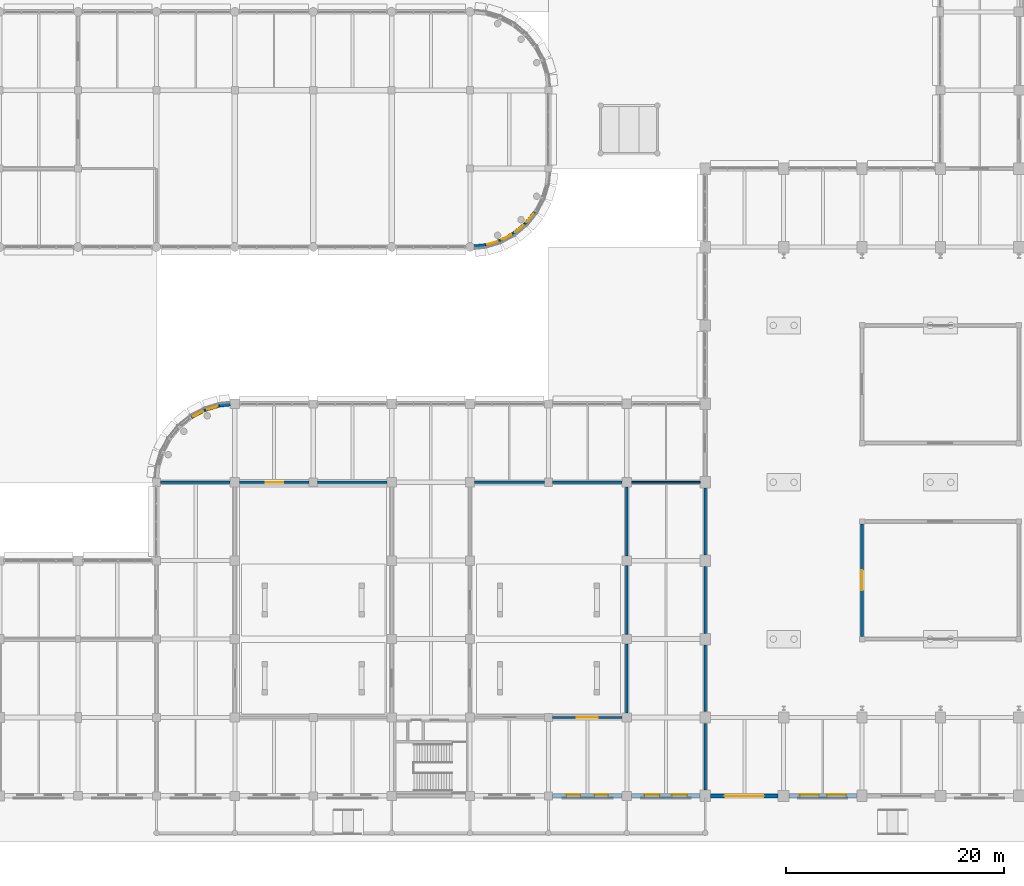
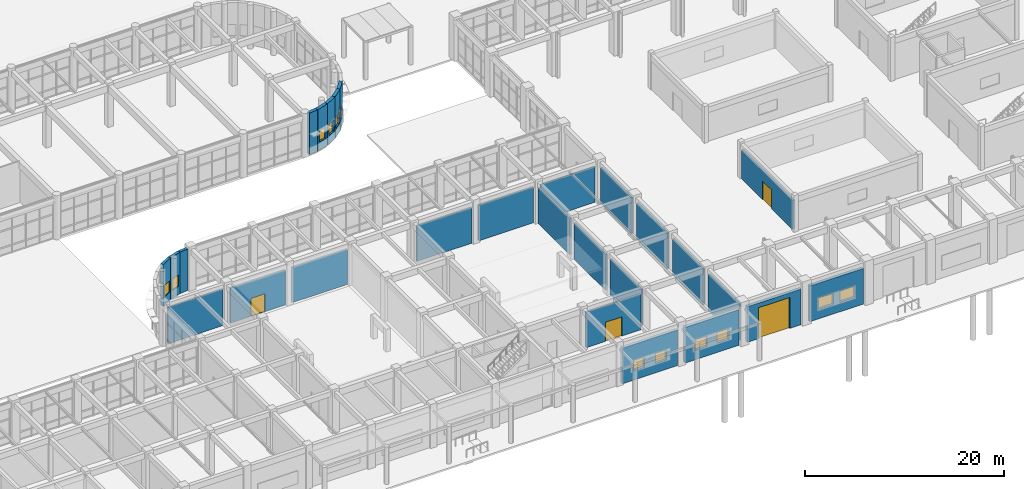
# One storey, part 138 of 160: 27 walls, 12 windows, 4 doors, 16 openings.
"""IFC4 building model written with IfcOpenShell, lengths in metres."""

from ifc_helpers import new_model, si_unit, direction, frame, frame_2d, origin, place, context, subcontext, project, spatial, rectangle, extrude, material, layer, layer_set, type_object, element, fill, save


model = new_model("IFC4")

# Units and contexts
model_context = context("Model", 3, precision=1e-05, world=origin(), true_north=direction((0.0, 1.0)))
body_context = subcontext(model_context, "Body", "Model", "MODEL_VIEW")
ifc_project = project(units=[si_unit("LENGTHUNIT", "METRE"), si_unit("AREAUNIT", "SQUARE_METRE"), si_unit("VOLUMEUNIT", "CUBIC_METRE"), si_unit("PLANEANGLEUNIT", "RADIAN"), si_unit("MASSUNIT", "GRAM", prefix="KILO")], contexts=[model_context])

# Site, building, storey
site_placement = place(None, origin())
site = spatial("IfcSite", under=ifc_project, at=site_placement, CompositionType="ELEMENT")
building_placement = place(site_placement, origin())
building = spatial("IfcBuilding", under=site, at=building_placement, Name="Thalmaran Polytechnic", CompositionType="ELEMENT")
storey_placement = place(building_placement, origin())
storey = spatial("IfcBuildingStorey", under=building, at=storey_placement, Name="L00", CompositionType="ELEMENT", Elevation=0.0)

# Wall, openings, windows
ifc_material_1 = material(Name="Precast concrete C40/50", Category="concrete")
ifc_layer_1 = layer(ifc_material_1, 0.360107421875, Name="Precast concrete C40/50")
ifc_layer_set_1 = layer_set([ifc_layer_1], Name="Precast concrete C40/50")
wall_type_1 = type_object("IfcWallType", Name="WL-EW01", PredefinedType="STANDARD", material=ifc_layer_set_1)
wall_1_placement = place(storey_placement, frame((121.925048828125, 0.0, 0.0), z_axis=(0.0, 0.0, 1.0), x_axis=(-1.0, 0.0, 0.0)))
wall_1 = element("IfcWall", 1, at=wall_1_placement, inside=storey, type_object=wall_type_1, Name="Exterior Precast Facade Wall L00-076", PredefinedType="STANDARD", context=body_context, shape_type="SweptSolid", body=[
    extrude(rectangle(XDim=6.22509765625, YDim=0.360107421875, at=frame_2d((3.112548828125, 0.0))), origin(), (0.0, 0.0, 1.0), 4.3701171875),
])
opening_1_placement = place(wall_1_placement, frame((0.992431640625, 0.0, 1.14990234375)))
opening_1 = element("IfcOpeningElement", 2, at=opening_1_placement, cuts=wall_1, Name="Opening VW08", PredefinedType="OPENING", context=body_context, shape_type="SweptSolid", body=[
    extrude(rectangle(XDim=1.75, YDim=1.39990234375, at=frame_2d((0.875, 0.699951171875))), frame((0.0, 0.18994140625, 0.0), z_axis=(0.0, -1.0, 0.0), x_axis=(1.0, 0.0, 0.0)), (0.0, 0.0, 1.0), 0.380126953125),
])
opening_2_placement = place(wall_1_placement, frame((3.482421875, 0.0, 1.14990234375)))
opening_2 = element("IfcOpeningElement", 3, at=opening_2_placement, cuts=wall_1, Name="Opening VW08", PredefinedType="OPENING", context=body_context, shape_type="SweptSolid", body=[
    extrude(rectangle(XDim=1.75, YDim=1.39990234375, at=frame_2d((0.875, 0.699951171875))), frame((0.0, 0.18994140625, 0.0), z_axis=(0.0, -1.0, 0.0), x_axis=(1.0, 0.0, 0.0)), (0.0, 0.0, 1.0), 0.380126953125),
])
ifc_material_2 = material(Name="Thermally broken aluminium and double low-E glass", Category="aluminium")
window_type_1 = type_object("IfcWindowType", Name="WN-VZ08", PartitioningType="SINGLE_PANEL", PredefinedType="WINDOW", material=ifc_material_2)
window_1_placement = place(opening_1_placement, origin())
window_1 = element("IfcWindow", 4, at=window_1_placement, inside=storey, type_object=window_type_1, Name="Deep-Set Solar-Screened Window W-0034", OverallHeight=1.39990234375, OverallWidth=1.75, PartitioningType="SINGLE_PANEL", PredefinedType="WINDOW", context=body_context, shape_type="SweptSolid", body=[
    extrude(rectangle(XDim=1.75, YDim=1.39990234375, at=frame_2d((0.875, 0.699951171875))), frame((0.0, -0.080078125, 0.0), z_axis=(0.0, -1.0, 0.0), x_axis=(1.0, 0.0, 0.0)), (0.0, 0.0, 1.0), 0.06005859375),
])
fill(opening_1, window_1)
window_2_placement = place(opening_2_placement, origin())
window_2 = element("IfcWindow", 5, at=window_2_placement, inside=storey, type_object=window_type_1, Name="Deep-Set Solar-Screened Window W-0035", OverallHeight=1.39990234375, OverallWidth=1.75, PartitioningType="SINGLE_PANEL", PredefinedType="WINDOW", context=body_context, shape_type="SweptSolid", body=[
    extrude(rectangle(XDim=1.75, YDim=1.39990234375, at=frame_2d((0.875, 0.699951171875))), frame((0.0, -0.080078125, 0.0), z_axis=(0.0, -1.0, 0.0), x_axis=(1.0, 0.0, 0.0)), (0.0, 0.0, 1.0), 0.06005859375),
])
fill(opening_2, window_2)

# Wall, opening, door
wall_2_placement = place(storey_placement, frame((114.699951171875, 0.0, 0.0), z_axis=(0.0, 0.0, 1.0), x_axis=(-1.0, 0.0, 0.0)))
wall_2 = element("IfcWall", 6, at=wall_2_placement, inside=storey, type_object=wall_type_1, Name="Exterior Precast Facade Wall L00-077", PredefinedType="STANDARD", context=body_context, shape_type="SweptSolid", body=[
    extrude(rectangle(XDim=6.224853515625, YDim=0.360107421875, at=frame_2d((3.1123046875, 0.0))), origin(), (0.0, 0.0, 1.0), 4.3701171875),
])
opening_3_placement = place(wall_2_placement, frame((1.3125, 0.0, 0.0)))
opening_3 = element("IfcOpeningElement", 7, at=opening_3_placement, cuts=wall_2, Name="Opening WB-077", PredefinedType="OPENING", context=body_context, shape_type="SweptSolid", body=[
    extrude(rectangle(XDim=3.60009765625, YDim=3.800048828125, at=frame_2d((1.800048828125, 1.89990234375))), frame((0.0, 0.18994140625, 0.0), z_axis=(0.0, -1.0, 0.0), x_axis=(1.0, 0.0, 0.0)), (0.0, 0.0, 1.0), 0.380126953125),
])
ifc_material_3 = material(Name="Galvanised insulated steel roller shutter", Category="steel")
door_type_1 = type_object("IfcDoorType", Name="DR-VG03", OperationType="NOTDEFINED", PredefinedType="GATE", material=ifc_material_3)
door_1_placement = place(opening_3_placement, origin())
door_1 = element("IfcDoor", 8, at=door_1_placement, inside=storey, type_object=door_type_1, Name="Engineering Workshop Crane Bay Door WB-077", OperationType="ROLLINGUP", OverallHeight=3.800048828125, OverallWidth=3.60009765625, PredefinedType="GATE", context=body_context, shape_type="SweptSolid", body=[
    extrude(rectangle(XDim=3.60009765625, YDim=3.800048828125, at=frame_2d((1.800048828125, 1.89990234375))), frame((0.0, 0.02490234375, 0.0), z_axis=(0.0, -1.0, 0.0), x_axis=(1.0, 0.0, 0.0)), (0.0, 0.0, 1.0), 0.050048828125),
])
fill(opening_3, door_1)

# Wall, openings, windows
wall_3_placement = place(storey_placement, frame((107.52490234375, 0.0, 0.0), z_axis=(0.0, 0.0, 1.0), x_axis=(-1.0, 0.0, 0.0)))
wall_3 = element("IfcWall", 9, at=wall_3_placement, inside=storey, type_object=wall_type_1, Name="Exterior Precast Facade Wall L00-078", PredefinedType="STANDARD", context=body_context, shape_type="SweptSolid", body=[
    extrude(rectangle(XDim=6.2998046875, YDim=0.360107421875, at=frame_2d((3.14990234375, 0.0))), origin(), (0.0, 0.0, 1.0), 4.3701171875),
])
opening_4_placement = place(wall_3_placement, frame((1.18994140625, 0.0, 1.14990234375)))
opening_4 = element("IfcOpeningElement", 10, at=opening_4_placement, cuts=wall_3, Name="Opening VW10", PredefinedType="OPENING", context=body_context, shape_type="SweptSolid", body=[
    extrude(rectangle(XDim=1.39990234375, YDim=1.300048828125, at=frame_2d((0.699951171875, 0.64990234375))), frame((0.0, 0.18994140625, 0.0), z_axis=(0.0, -1.0, 0.0), x_axis=(1.0, 0.0, 0.0)), (0.0, 0.0, 1.0), 0.380126953125),
])
opening_5_placement = place(wall_3_placement, frame((3.7099609375, 0.0, 1.14990234375)))
opening_5 = element("IfcOpeningElement", 11, at=opening_5_placement, cuts=wall_3, Name="Opening VW10", PredefinedType="OPENING", context=body_context, shape_type="SweptSolid", body=[
    extrude(rectangle(XDim=1.39990234375, YDim=1.300048828125, at=frame_2d((0.699951171875, 0.64990234375))), frame((0.0, 0.18994140625, 0.0), z_axis=(0.0, -1.0, 0.0), x_axis=(1.0, 0.0, 0.0)), (0.0, 0.0, 1.0), 0.380126953125),
])
window_type_2 = type_object("IfcWindowType", Name="WN-VZ10", PartitioningType="SINGLE_PANEL", PredefinedType="WINDOW", material=ifc_material_2)
window_3_placement = place(opening_4_placement, origin())
window_3 = element("IfcWindow", 12, at=window_3_placement, inside=storey, type_object=window_type_2, Name="Deep-Set Solar-Screened Window W-0036", OverallHeight=1.300048828125, OverallWidth=1.39990234375, PartitioningType="SINGLE_PANEL", PredefinedType="WINDOW", context=body_context, shape_type="SweptSolid", body=[
    extrude(rectangle(XDim=1.39990234375, YDim=1.300048828125, at=frame_2d((0.699951171875, 0.64990234375))), frame((0.0, -0.080078125, 0.0), z_axis=(0.0, -1.0, 0.0), x_axis=(1.0, 0.0, 0.0)), (0.0, 0.0, 1.0), 0.06005859375),
])
fill(opening_4, window_3)
window_4_placement = place(opening_5_placement, origin())
window_4 = element("IfcWindow", 13, at=window_4_placement, inside=storey, type_object=window_type_2, Name="Deep-Set Solar-Screened Window W-0037", OverallHeight=1.300048828125, OverallWidth=1.39990234375, PartitioningType="SINGLE_PANEL", PredefinedType="WINDOW", context=body_context, shape_type="SweptSolid", body=[
    extrude(rectangle(XDim=1.39990234375, YDim=1.300048828125, at=frame_2d((0.699951171875, 0.64990234375))), frame((0.0, -0.080078125, 0.0), z_axis=(0.0, -1.0, 0.0), x_axis=(1.0, 0.0, 0.0)), (0.0, 0.0, 1.0), 0.06005859375),
])
fill(opening_5, window_4)

wall_4_placement = place(storey_placement, frame((100.375, 0.0, 0.0), z_axis=(0.0, 0.0, 1.0), x_axis=(-1.0, 0.0, 0.0)))
wall_4 = element("IfcWall", 14, at=wall_4_placement, inside=storey, type_object=wall_type_1, Name="Exterior Precast Facade Wall L00-079", PredefinedType="STANDARD", context=body_context, shape_type="SweptSolid", body=[
    extrude(rectangle(XDim=6.39990234375, YDim=0.360107421875, at=frame_2d((3.199951171875, 0.0))), origin(), (0.0, 0.0, 1.0), 4.3701171875),
])
opening_6_placement = place(wall_4_placement, frame((1.294921875, 0.0, 1.14990234375)))
opening_6 = element("IfcOpeningElement", 15, at=opening_6_placement, cuts=wall_4, Name="Opening VW11", PredefinedType="OPENING", context=body_context, shape_type="SweptSolid", body=[
    extrude(rectangle(XDim=1.25, YDim=1.25, at=frame_2d((0.625, 0.625))), frame((0.0, 0.18994140625, 0.0), z_axis=(0.0, -1.0, 0.0), x_axis=(1.0, 0.0, 0.0)), (0.0, 0.0, 1.0), 0.380126953125),
])
opening_7_placement = place(wall_4_placement, frame((3.85498046875, 0.0, 1.14990234375)))
opening_7 = element("IfcOpeningElement", 16, at=opening_7_placement, cuts=wall_4, Name="Opening VW11", PredefinedType="OPENING", context=body_context, shape_type="SweptSolid", body=[
    extrude(rectangle(XDim=1.25, YDim=1.25, at=frame_2d((0.625, 0.625))), frame((0.0, 0.18994140625, 0.0), z_axis=(0.0, -1.0, 0.0), x_axis=(1.0, 0.0, 0.0)), (0.0, 0.0, 1.0), 0.380126953125),
])
window_type_3 = type_object("IfcWindowType", Name="WN-VZ11", PartitioningType="SINGLE_PANEL", PredefinedType="WINDOW", material=ifc_material_2)
window_5_placement = place(opening_6_placement, origin())
window_5 = element("IfcWindow", 17, at=window_5_placement, inside=storey, type_object=window_type_3, Name="Deep-Set Solar-Screened Window W-0038", OverallHeight=1.25, OverallWidth=1.25, PartitioningType="SINGLE_PANEL", PredefinedType="WINDOW", context=body_context, shape_type="SweptSolid", body=[
    extrude(rectangle(XDim=1.25, YDim=1.25, at=frame_2d((0.625, 0.625))), frame((0.0, -0.080078125, 0.0), z_axis=(0.0, -1.0, 0.0), x_axis=(1.0, 0.0, 0.0)), (0.0, 0.0, 1.0), 0.06005859375),
])
fill(opening_6, window_5)
window_6_placement = place(opening_7_placement, origin())
window_6 = element("IfcWindow", 18, at=window_6_placement, inside=storey, type_object=window_type_3, Name="Deep-Set Solar-Screened Window W-0039", OverallHeight=1.25, OverallWidth=1.25, PartitioningType="SINGLE_PANEL", PredefinedType="WINDOW", context=body_context, shape_type="SweptSolid", body=[
    extrude(rectangle(XDim=1.25, YDim=1.25, at=frame_2d((0.625, 0.625))), frame((0.0, -0.080078125, 0.0), z_axis=(0.0, -1.0, 0.0), x_axis=(1.0, 0.0, 0.0)), (0.0, 0.0, 1.0), 0.06005859375),
])
fill(opening_7, window_6)

# Wall, opening, window
wall_5_placement = place(storey_placement, frame((92.386474609375, 53.599853515625, 0.0), z_axis=(0.0, 0.0, 1.0), x_axis=(-0.63432986571, -0.773062495189, 0.0)))
wall_5 = element("IfcWall", 19, at=wall_5_placement, inside=storey, type_object=wall_type_1, Name="Exterior Precast Facade Wall L00-132", PredefinedType="STANDARD", context=body_context, shape_type="SweptSolid", body=[
    extrude(rectangle(XDim=1.411376953125, YDim=0.360107421875, at=frame_2d((0.70556640625, 0.0))), origin(), (0.0, 0.0, 1.0), 5.090087890625),
])
opening_8_placement = place(wall_5_placement, frame((0.2255859375, 0.0, 1.0)))
opening_8 = element("IfcOpeningElement", 20, at=opening_8_placement, cuts=wall_5, Name="Opening CR01", PredefinedType="OPENING", context=body_context, shape_type="SweptSolid", body=[
    extrude(rectangle(XDim=0.9599609375, YDim=1.39990234375, at=frame_2d((0.47998046875, 0.699951171875))), frame((0.0, 0.18994140625, 0.0), z_axis=(0.0, -1.0, 0.0), x_axis=(1.0, 0.0, 0.0)), (0.0, 0.0, 1.0), 0.380126953125),
])
window_type_4 = type_object("IfcWindowType", Name="WN-CR01", PartitioningType="SINGLE_PANEL", PredefinedType="WINDOW", material=ifc_material_2)
window_7_placement = place(opening_8_placement, origin())
window_7 = element("IfcWindow", 21, at=window_7_placement, inside=storey, type_object=window_type_4, Name="Curved Prow Ribbon Window W-0074", OverallHeight=1.39990234375, OverallWidth=0.9599609375, PartitioningType="SINGLE_PANEL", PredefinedType="WINDOW", context=body_context, shape_type="SweptSolid", body=[
    extrude(rectangle(XDim=0.9599609375, YDim=1.39990234375, at=frame_2d((0.47998046875, 0.699951171875))), frame((0.0, -0.010009765625, 0.0), z_axis=(0.0, -1.0, 0.0), x_axis=(1.0, 0.0, 0.0)), (0.0, 0.0, 1.0), 0.06005859375),
])
fill(opening_8, window_7)

wall_6_placement = place(storey_placement, frame((91.4912109375, 52.5087890625, 0.0), z_axis=(0.0, 0.0, 1.0), x_axis=(-0.773062495189, -0.63432986571, 0.0)))
wall_6 = element("IfcWall", 22, at=wall_6_placement, inside=storey, type_object=wall_type_1, Name="Exterior Precast Facade Wall L00-133", PredefinedType="STANDARD", context=body_context, shape_type="SweptSolid", body=[
    extrude(rectangle(XDim=1.411376953125, YDim=0.360107421875, at=frame_2d((0.70556640625, 0.0))), origin(), (0.0, 0.0, 1.0), 5.090087890625),
])
opening_9_placement = place(wall_6_placement, frame((0.2255859375, 0.0, 1.0)))
opening_9 = element("IfcOpeningElement", 23, at=opening_9_placement, cuts=wall_6, Name="Opening CR01", PredefinedType="OPENING", context=body_context, shape_type="SweptSolid", body=[
    extrude(rectangle(XDim=0.9599609375, YDim=1.39990234375, at=frame_2d((0.47998046875, 0.699951171875))), frame((0.0, 0.18994140625, 0.0), z_axis=(0.0, -1.0, 0.0), x_axis=(1.0, 0.0, 0.0)), (0.0, 0.0, 1.0), 0.380126953125),
])
window_8_placement = place(opening_9_placement, origin())
window_8 = element("IfcWindow", 24, at=window_8_placement, inside=storey, type_object=window_type_4, Name="Curved Prow Ribbon Window W-0075", OverallHeight=1.39990234375, OverallWidth=0.9599609375, PartitioningType="SINGLE_PANEL", PredefinedType="WINDOW", context=body_context, shape_type="SweptSolid", body=[
    extrude(rectangle(XDim=0.9599609375, YDim=1.39990234375, at=frame_2d((0.47998046875, 0.699951171875))), frame((0.0, -0.010009765625, 0.0), z_axis=(0.0, -1.0, 0.0), x_axis=(1.0, 0.0, 0.0)), (0.0, 0.0, 1.0), 0.06005859375),
])
fill(opening_9, window_8)

wall_7_placement = place(storey_placement, frame((90.400146484375, 51.613525390625, 0.0), z_axis=(0.0, 0.0, 1.0), x_axis=(-0.881883317393, -0.471467723713, 0.0)))
wall_7 = element("IfcWall", 25, at=wall_7_placement, inside=storey, type_object=wall_type_1, Name="Exterior Precast Facade Wall L00-134", PredefinedType="STANDARD", context=body_context, shape_type="SweptSolid", body=[
    extrude(rectangle(XDim=1.41162109375, YDim=0.360107421875, at=frame_2d((0.705810546875, 0.0))), origin(), (0.0, 0.0, 1.0), 5.090087890625),
])
opening_10_placement = place(wall_7_placement, frame((0.2255859375, 0.0, 1.0)))
opening_10 = element("IfcOpeningElement", 26, at=opening_10_placement, cuts=wall_7, Name="Opening CR01", PredefinedType="OPENING", context=body_context, shape_type="SweptSolid", body=[
    extrude(rectangle(XDim=0.9599609375, YDim=1.39990234375, at=frame_2d((0.47998046875, 0.699951171875))), frame((0.0, 0.18994140625, 0.0), z_axis=(0.0, -1.0, 0.0), x_axis=(1.0, 0.0, 0.0)), (0.0, 0.0, 1.0), 0.380126953125),
])
window_9_placement = place(opening_10_placement, origin())
window_9 = element("IfcWindow", 27, at=window_9_placement, inside=storey, type_object=window_type_4, Name="Curved Prow Ribbon Window W-0076", OverallHeight=1.39990234375, OverallWidth=0.9599609375, PartitioningType="SINGLE_PANEL", PredefinedType="WINDOW", context=body_context, shape_type="SweptSolid", body=[
    extrude(rectangle(XDim=0.9599609375, YDim=1.39990234375, at=frame_2d((0.47998046875, 0.699951171875))), frame((0.0, -0.010009765625, 0.0), z_axis=(0.0, -1.0, 0.0), x_axis=(1.0, 0.0, 0.0)), (0.0, 0.0, 1.0), 0.06005859375),
])
fill(opening_10, window_9)

wall_8_placement = place(storey_placement, frame((89.1552734375, 50.947998046875, 0.0), z_axis=(0.0, 0.0, 1.0), x_axis=(-0.956945806495, -0.290266641956, 0.0)))
wall_8 = element("IfcWall", 28, at=wall_8_placement, inside=storey, type_object=wall_type_1, Name="Exterior Precast Facade Wall L00-135", PredefinedType="STANDARD", context=body_context, shape_type="SweptSolid", body=[
    extrude(rectangle(XDim=1.411376953125, YDim=0.360107421875, at=frame_2d((0.70556640625, 0.0))), origin(), (0.0, 0.0, 1.0), 5.090087890625),
])
opening_11_placement = place(wall_8_placement, frame((0.2255859375, 0.0, 1.0)))
opening_11 = element("IfcOpeningElement", 29, at=opening_11_placement, cuts=wall_8, Name="Opening CR01", PredefinedType="OPENING", context=body_context, shape_type="SweptSolid", body=[
    extrude(rectangle(XDim=0.9599609375, YDim=1.39990234375, at=frame_2d((0.47998046875, 0.699951171875))), frame((0.0, 0.18994140625, 0.0), z_axis=(0.0, -1.0, 0.0), x_axis=(1.0, 0.0, 0.0)), (0.0, 0.0, 1.0), 0.380126953125),
])
window_10_placement = place(opening_11_placement, origin())
window_10 = element("IfcWindow", 30, at=window_10_placement, inside=storey, type_object=window_type_4, Name="Curved Prow Ribbon Window W-0077", OverallHeight=1.39990234375, OverallWidth=0.9599609375, PartitioningType="SINGLE_PANEL", PredefinedType="WINDOW", context=body_context, shape_type="SweptSolid", body=[
    extrude(rectangle(XDim=0.9599609375, YDim=1.39990234375, at=frame_2d((0.47998046875, 0.699951171875))), frame((0.0, -0.010009765625, 0.0), z_axis=(0.0, -1.0, 0.0), x_axis=(1.0, 0.0, 0.0)), (0.0, 0.0, 1.0), 0.06005859375),
])
fill(opening_11, window_10)

# Wall
wall_9_placement = place(storey_placement, frame((87.8046875, 50.538330078125, 0.0), z_axis=(0.0, 0.0, 1.0), x_axis=(-0.9951866114, -0.097998002481, 0.0)))
element("IfcWall", 31, at=wall_9_placement, inside=storey, type_object=wall_type_1, Name="Exterior Precast Facade Wall L00-136", PredefinedType="STANDARD", context=body_context, shape_type="SweptSolid", body=[
    extrude(rectangle(XDim=1.011474609375, YDim=0.360107421875, at=frame_2d((0.505859375, 0.0))), origin(), (0.0, 0.0, 1.0), 5.090087890625),
])

# Wall, opening, window
ifc_layer_2 = layer(ifc_material_1, 0.330078125, Name="Precast concrete C40/50")
ifc_layer_set_2 = layer_set([ifc_layer_2], Name="Precast concrete C40/50")
wall_type_2 = type_object("IfcWallType", Name="WL-EW02", PredefinedType="STANDARD", material=ifc_layer_set_2)
wall_10_placement = place(storey_placement, frame((60.7998046875, 34.78662109375, 0.0), z_axis=(0.0, 0.0, 1.0), x_axis=(0.881955222984, 0.471333199182, 0.0)))
wall_10 = element("IfcWall", 32, at=wall_10_placement, inside=storey, type_object=wall_type_2, Name="Exterior Precast Facade Wall L00-161", PredefinedType="STANDARD", context=body_context, shape_type="SweptSolid", body=[
    extrude(rectangle(XDim=1.411376953125, YDim=0.330078125, at=frame_2d((0.70556640625, 0.0))), origin(), (0.0, 0.0, 1.0), 5.090087890625),
])
opening_12_placement = place(wall_10_placement, frame((0.2255859375, 0.0, 1.0)))
opening_12 = element("IfcOpeningElement", 33, at=opening_12_placement, cuts=wall_10, Name="Opening CR01", PredefinedType="OPENING", context=body_context, shape_type="SweptSolid", body=[
    extrude(rectangle(XDim=0.9599609375, YDim=1.39990234375, at=frame_2d((0.47998046875, 0.699951171875))), frame((0.0, 0.175048828125, 0.0), z_axis=(0.0, -1.0, 0.0), x_axis=(1.0, 0.0, 0.0)), (0.0, 0.0, 1.0), 0.35009765625),
])
window_11_placement = place(opening_12_placement, origin())
window_11 = element("IfcWindow", 34, at=window_11_placement, inside=storey, type_object=window_type_4, Name="Curved Prow Ribbon Window W-0082", OverallHeight=1.39990234375, OverallWidth=0.9599609375, PartitioningType="SINGLE_PANEL", PredefinedType="WINDOW", context=body_context, shape_type="SweptSolid", body=[
    extrude(rectangle(XDim=0.9599609375, YDim=1.39990234375, at=frame_2d((0.47998046875, 0.699951171875))), frame((0.0, -0.010009765625, 0.0), z_axis=(0.0, -1.0, 0.0), x_axis=(1.0, 0.0, 0.0)), (0.0, 0.0, 1.0), 0.06005859375),
])
fill(opening_12, window_11)

wall_11_placement = place(storey_placement, frame((62.044677734375, 35.451904296875, 0.0), z_axis=(0.0, 0.0, 1.0), x_axis=(0.956945806495, 0.290266641956, 0.0)))
wall_11 = element("IfcWall", 35, at=wall_11_placement, inside=storey, type_object=wall_type_2, Name="Exterior Precast Facade Wall L00-162", PredefinedType="STANDARD", context=body_context, shape_type="SweptSolid", body=[
    extrude(rectangle(XDim=1.411376953125, YDim=0.330078125, at=frame_2d((0.70556640625, 0.0))), origin(), (0.0, 0.0, 1.0), 5.090087890625),
])
opening_13_placement = place(wall_11_placement, frame((0.2255859375, 0.0, 1.0)))
opening_13 = element("IfcOpeningElement", 36, at=opening_13_placement, cuts=wall_11, Name="Opening CR01", PredefinedType="OPENING", context=body_context, shape_type="SweptSolid", body=[
    extrude(rectangle(XDim=0.9599609375, YDim=1.39990234375, at=frame_2d((0.47998046875, 0.699951171875))), frame((0.0, 0.175048828125, 0.0), z_axis=(0.0, -1.0, 0.0), x_axis=(1.0, 0.0, 0.0)), (0.0, 0.0, 1.0), 0.35009765625),
])
window_12_placement = place(opening_13_placement, origin())
window_12 = element("IfcWindow", 37, at=window_12_placement, inside=storey, type_object=window_type_4, Name="Curved Prow Ribbon Window W-0083", OverallHeight=1.39990234375, OverallWidth=0.9599609375, PartitioningType="SINGLE_PANEL", PredefinedType="WINDOW", context=body_context, shape_type="SweptSolid", body=[
    extrude(rectangle(XDim=0.9599609375, YDim=1.39990234375, at=frame_2d((0.47998046875, 0.699951171875))), frame((0.0, -0.010009765625, 0.0), z_axis=(0.0, -1.0, 0.0), x_axis=(1.0, 0.0, 0.0)), (0.0, 0.0, 1.0), 0.06005859375),
])
fill(opening_13, window_12)

# Wall
wall_12_placement = place(storey_placement, frame((63.395263671875, 35.861572265625, 0.0), z_axis=(0.0, 0.0, 1.0), x_axis=(0.99518554585, 0.09800882272, 0.0)))
element("IfcWall", 38, at=wall_12_placement, inside=storey, type_object=wall_type_2, Name="Exterior Precast Facade Wall L00-163", PredefinedType="STANDARD", context=body_context, shape_type="SweptSolid", body=[
    extrude(rectangle(XDim=0.986328125, YDim=0.330078125, at=frame_2d((0.4931640625, 0.0))), origin(), (0.0, 0.0, 1.0), 5.090087890625),
])

# Wall, opening, door
ifc_material_4 = material(Name="Autoclaved aerated masonry", Category="masonry")
ifc_layer_3 = layer(ifc_material_4, 0.25, Name="Autoclaved aerated masonry")
ifc_layer_set_3 = layer_set([ifc_layer_3], Name="Autoclaved aerated masonry")
wall_type_3 = type_object("IfcWallType", Name="WL-IW01", PredefinedType="PARTITIONING", material=ifc_layer_set_3)
wall_13_placement = place(storey_placement, frame((122.39990234375, 24.949951171875, 0.0), z_axis=(0.0, 0.0, 1.0), x_axis=(0.0, -1.0, 0.0)))
wall_13 = element("IfcWall", 39, at=wall_13_placement, inside=storey, type_object=wall_type_3, Name="POD1 Acoustic Enclosure Wall L00-W", PredefinedType="PARTITIONING", context=body_context, shape_type="SweptSolid", body=[
    extrude(rectangle(XDim=10.300048828125, YDim=0.25, at=frame_2d((5.14990234375, 0.0))), origin(), (0.0, 0.0, 1.0), 3.570068359375),
])
opening_14_placement = place(wall_13_placement, frame((4.22509765625, 0.0, 0.0)))
opening_14 = element("IfcOpeningElement", 40, at=opening_14_placement, cuts=wall_13, Name="Opening PD-POD1-L00", PredefinedType="OPENING", context=body_context, shape_type="SweptSolid", body=[
    extrude(rectangle(XDim=1.85009765625, YDim=2.300048828125, at=frame_2d((0.925048828125, 1.14990234375))), frame((0.0, 0.135009765625, 0.0), z_axis=(0.0, -1.0, 0.0), x_axis=(1.0, 0.0, 0.0)), (0.0, 0.0, 1.0), 0.27001953125),
])
ifc_material_5 = material(Name="Acoustic hardwood and vision glass", Category="wood")
door_type_2 = type_object("IfcDoorType", Name="DR-ID01", OperationType="NOTDEFINED", PredefinedType="DOOR", material=ifc_material_5)
door_2_placement = place(opening_14_placement, frame((1.85009765625, 0.0, 0.0), z_axis=(0.0, 0.0, 1.0), x_axis=(-1.0, 0.0, 0.0)))
door_2 = element("IfcDoor", 41, at=door_2_placement, inside=storey, type_object=door_type_2, Name="Metrology Precision Laboratory Entrance Door", OperationType="DOUBLE_DOOR_SINGLE_SWING", OverallHeight=2.300048828125, OverallWidth=1.85009765625, PredefinedType="DOOR", context=body_context, shape_type="SweptSolid", body=[
    extrude(rectangle(XDim=1.85009765625, YDim=2.300048828125, at=frame_2d((0.925048828125, 1.14990234375))), frame((0.0, 0.02490234375, 0.0), z_axis=(0.0, -1.0, 0.0), x_axis=(1.0, 0.0, 0.0)), (0.0, 0.0, 1.0), 0.050048828125),
])
fill(opening_14, door_2)

# Walls
ifc_layer_4 = layer(ifc_material_4, 0.22998046875, Name="Autoclaved aerated masonry")
ifc_layer_set_4 = layer_set([ifc_layer_4], Name="Autoclaved aerated masonry")
wall_type_4 = type_object("IfcWallType", Name="WL-IW02", PredefinedType="PARTITIONING", material=ifc_layer_set_4)
wall_14_placement = place(storey_placement, frame((108.0, 0.530029296875, 0.0), z_axis=(0.0, 0.0, 1.0), x_axis=(0.0, 1.0, 0.0)))
element("IfcWall", 42, at=wall_14_placement, inside=storey, type_object=wall_type_4, Name="Interior Partition IW02 L00-110", PredefinedType="PARTITIONING", context=body_context, shape_type="SweptSolid", body=[
    extrude(rectangle(XDim=6.139892578125, YDim=0.22998046875, at=frame_2d((3.06982421875, 0.0))), origin(), (0.0, 0.0, 1.0), 4.455078125),
])
for number, where, z_axis, x_axis, name in (
    (43, (108.0, 7.72998046875, 0.0), (0.0, 0.0, 1.0), (0.0, 1.0, 0.0), "Interior Partition IW02 L00-111"),
    (44, (108.0, 14.929931640625, 0.0), (0.0, 0.0, 1.0), (0.0, 1.0, 0.0), "Interior Partition IW02 L00-112"),
):
    element("IfcWall", number, at=place(storey_placement, frame(where, z_axis=z_axis, x_axis=x_axis)), inside=storey, type_object=wall_type_4, Name=name, PredefinedType="PARTITIONING", context=body_context, shape_type="SweptSolid", body=[
        extrude(rectangle(XDim=6.14013671875, YDim=0.22998046875, at=frame_2d((3.070068359375, 0.0))), origin(), (0.0, 0.0, 1.0), 4.405029296875),
    ])
wall_15_placement = place(storey_placement, frame((108.0, 22.1298828125, 0.0), z_axis=(0.0, 0.0, 1.0), x_axis=(0.0, 1.0, 0.0)))
element("IfcWall", 45, at=wall_15_placement, inside=storey, type_object=wall_type_4, Name="Interior Partition IW02 L00-113", PredefinedType="PARTITIONING", context=body_context, shape_type="SweptSolid", body=[
    extrude(rectangle(XDim=6.14013671875, YDim=0.22998046875, at=frame_2d((3.070068359375, 0.0))), origin(), (0.0, 0.0, 1.0), 4.39990234375),
])
ifc_layer_5 = layer(ifc_material_4, 0.2099609375, Name="Autoclaved aerated masonry")
ifc_layer_set_5 = layer_set([ifc_layer_5], Name="Autoclaved aerated masonry")
wall_type_5 = type_object("IfcWallType", Name="WL-IW03", PredefinedType="PARTITIONING", material=ifc_layer_set_5)
wall_16_placement = place(storey_placement, frame((57.97998046875, 28.800048828125, 0.0), z_axis=(0.0, 0.0, 1.0), x_axis=(1.0, 0.0, 0.0)))
element("IfcWall", 46, at=wall_16_placement, inside=storey, type_object=wall_type_5, Name="Interior Partition IW03 L00-074", PredefinedType="PARTITIONING", context=body_context, shape_type="SweptSolid", body=[
    extrude(rectangle(XDim=6.39013671875, YDim=0.2099609375, at=frame_2d((3.195068359375, 0.0))), origin(), (0.0, 0.0, 1.0), 4.449951171875),
])

# Wall, opening, door
wall_17_placement = place(storey_placement, frame((65.22998046875, 28.800048828125, 0.0), z_axis=(0.0, 0.0, 1.0), x_axis=(1.0, 0.0, 0.0)))
wall_17 = element("IfcWall", 47, at=wall_17_placement, inside=storey, type_object=wall_type_5, Name="Interior Partition IW03 L00-078", PredefinedType="PARTITIONING", context=body_context, shape_type="SweptSolid", body=[
    extrude(rectangle(XDim=6.39013671875, YDim=0.2099609375, at=frame_2d((3.195068359375, 0.0))), origin(), (0.0, 0.0, 1.0), 4.2900390625),
])
opening_15_placement = place(wall_17_placement, frame((2.39501953125, 0.0, 0.0)))
opening_15 = element("IfcOpeningElement", 48, at=opening_15_placement, cuts=wall_17, Name="Opening D-L00-002--LT1-1", PredefinedType="OPENING", context=body_context, shape_type="SweptSolid", body=[
    extrude(rectangle(XDim=1.60009765625, YDim=2.199951171875, at=frame_2d((0.800048828125, 1.10009765625))), frame((0.0, 0.114990234375, 0.0), z_axis=(0.0, -1.0, 0.0), x_axis=(1.0, 0.0, 0.0)), (0.0, 0.0, 1.0), 0.22998046875),
])
ifc_material_6 = material(Name="Powder-coated fire-rated steel", Category="steel")
door_type_3 = type_object("IfcDoorType", Name="DR-FD05", OperationType="NOTDEFINED", PredefinedType="DOOR", material=ifc_material_6)
door_3_placement = place(opening_15_placement, origin())
door_3 = element("IfcDoor", 49, at=door_3_placement, inside=storey, type_object=door_type_3, Name="Lecture Theatre 1 (75 Seats) Door 1", OperationType="DOUBLE_DOOR_SINGLE_SWING", OverallHeight=2.199951171875, OverallWidth=1.60009765625, PredefinedType="DOOR", context=body_context, shape_type="SweptSolid", body=[
    extrude(rectangle(XDim=1.60009765625, YDim=2.199951171875, at=frame_2d((0.800048828125, 1.10009765625))), frame((0.0, 0.02490234375, 0.0), z_axis=(0.0, -1.0, 0.0), x_axis=(1.0, 0.0, 0.0)), (0.0, 0.0, 1.0), 0.050048828125),
])
fill(opening_15, door_3)

# Walls
wall_18_placement = place(storey_placement, frame((72.3798828125, 28.800048828125, 0.0), z_axis=(0.0, 0.0, 1.0), x_axis=(1.0, 0.0, 0.0)))
element("IfcWall", 50, at=wall_18_placement, inside=storey, type_object=wall_type_5, Name="Interior Partition IW03 L00-085", PredefinedType="PARTITIONING", context=body_context, shape_type="SweptSolid", body=[
    extrude(rectangle(XDim=6.39013671875, YDim=0.2099609375, at=frame_2d((3.195068359375, 0.0))), origin(), (0.0, 0.0, 1.0), 4.31005859375),
])
wall_19_placement = place(storey_placement, frame((86.830078125, 28.800048828125, 0.0), z_axis=(0.0, 0.0, 1.0), x_axis=(1.0, 0.0, 0.0)))
element("IfcWall", 51, at=wall_19_placement, inside=storey, type_object=wall_type_5, Name="Interior Partition IW03 L00-097", PredefinedType="PARTITIONING", context=body_context, shape_type="SweptSolid", body=[
    extrude(rectangle(XDim=6.389892578125, YDim=0.2099609375, at=frame_2d((3.19482421875, 0.0))), origin(), (0.0, 0.0, 1.0), 4.35009765625),
])

# Wall, opening, door
wall_20_placement = place(storey_placement, frame((93.97998046875, 7.199951171875, 0.0), z_axis=(0.0, 0.0, 1.0), x_axis=(1.0, 0.0, 0.0)))
wall_20 = element("IfcWall", 52, at=wall_20_placement, inside=storey, type_object=wall_type_5, Name="Interior Partition IW03 L00-101", PredefinedType="PARTITIONING", context=body_context, shape_type="SweptSolid", body=[
    extrude(rectangle(XDim=6.39013671875, YDim=0.2099609375, at=frame_2d((3.195068359375, 0.0))), origin(), (0.0, 0.0, 1.0), 4.364990234375),
])
opening_16_placement = place(wall_20_placement, frame((2.235107421875, 0.0, 0.0)))
opening_16 = element("IfcOpeningElement", 53, at=opening_16_placement, cuts=wall_20, Name="Opening D-L00-009-S-12-2", PredefinedType="OPENING", context=body_context, shape_type="SweptSolid", body=[
    extrude(rectangle(XDim=1.919921875, YDim=2.35009765625, at=frame_2d((0.9599609375, 1.175048828125))), frame((0.0, 0.114990234375, 0.0), z_axis=(0.0, -1.0, 0.0), x_axis=(1.0, 0.0, 0.0)), (0.0, 0.0, 1.0), 0.22998046875),
])
door_type_4 = type_object("IfcDoorType", Name="DR-ZD01", OperationType="NOTDEFINED", PredefinedType="DOOR", material=ifc_material_5)
door_4_placement = place(opening_16_placement, origin())
door_4 = element("IfcDoor", 54, at=door_4_placement, inside=storey, type_object=door_type_4, Name="Seminar Room L00-A Door 2", OperationType="SINGLE_SWING_RIGHT", OverallHeight=2.35009765625, OverallWidth=1.919921875, PredefinedType="DOOR", context=body_context, shape_type="SweptSolid", body=[
    extrude(rectangle(XDim=1.919921875, YDim=2.35009765625, at=frame_2d((0.9599609375, 1.175048828125))), frame((0.0, 0.02490234375, 0.0), z_axis=(0.0, -1.0, 0.0), x_axis=(1.0, 0.0, 0.0)), (0.0, 0.0, 1.0), 0.050048828125),
])
fill(opening_16, door_4)

# Walls
wall_21_placement = place(storey_placement, frame((100.800048828125, 7.6298828125, 0.0), z_axis=(0.0, 0.0, 1.0), x_axis=(0.0, 1.0, 0.0)))
element("IfcWall", 55, at=wall_21_placement, inside=storey, type_object=wall_type_5, Name="Interior Partition IW03 L00-102", PredefinedType="PARTITIONING", context=body_context, shape_type="SweptSolid", body=[
    extrude(rectangle(XDim=6.340087890625, YDim=0.2099609375, at=frame_2d((3.169921875, 0.0))), origin(), (0.0, 0.0, 1.0), 4.405029296875),
])
wall_22_placement = place(storey_placement, frame((100.800048828125, 14.830078125, 0.0), z_axis=(0.0, 0.0, 1.0), x_axis=(0.0, 1.0, 0.0)))
element("IfcWall", 56, at=wall_22_placement, inside=storey, type_object=wall_type_5, Name="Interior Partition IW03 L00-103", PredefinedType="PARTITIONING", context=body_context, shape_type="SweptSolid", body=[
    extrude(rectangle(XDim=6.33984375, YDim=0.2099609375, at=frame_2d((3.169921875, 0.0))), origin(), (0.0, 0.0, 1.0), 4.405029296875),
])
wall_23_placement = place(storey_placement, frame((100.800048828125, 22.030029296875, 0.0), z_axis=(0.0, 0.0, 1.0), x_axis=(0.0, 1.0, 0.0)))
element("IfcWall", 57, at=wall_23_placement, inside=storey, type_object=wall_type_5, Name="Interior Partition IW03 L00-104", PredefinedType="PARTITIONING", context=body_context, shape_type="SweptSolid", body=[
    extrude(rectangle(XDim=6.340087890625, YDim=0.2099609375, at=frame_2d((3.169921875, 0.0))), origin(), (0.0, 0.0, 1.0), 4.39990234375),
])
wall_24_placement = place(storey_placement, frame((93.97998046875, 28.800048828125, 0.0), z_axis=(0.0, 0.0, 1.0), x_axis=(1.0, 0.0, 0.0)))
element("IfcWall", 58, at=wall_24_placement, inside=storey, type_object=wall_type_5, Name="Interior Partition IW03 L00-105", PredefinedType="PARTITIONING", context=body_context, shape_type="SweptSolid", body=[
    extrude(rectangle(XDim=6.39013671875, YDim=0.2099609375, at=frame_2d((3.195068359375, 0.0))), origin(), (0.0, 0.0, 1.0), 4.364990234375),
])
ifc_material_7 = material(Name="Gypsum acoustic partition")
ifc_layer_6 = layer(ifc_material_7, 0.14501953125, Name="Gypsum acoustic partition")
ifc_layer_set_6 = layer_set([ifc_layer_6], Name="Gypsum acoustic partition")
wall_type_6 = type_object("IfcWallType", Name="WL-IW06", PredefinedType="PARTITIONING", material=ifc_layer_set_6)
wall_25_placement = place(storey_placement, frame((101.22998046875, 28.800048828125, 0.0), z_axis=(0.0, 0.0, 1.0), x_axis=(1.0, 0.0, 0.0)))
element("IfcWall", 59, at=wall_25_placement, inside=storey, type_object=wall_type_6, Name="Interior Partition IW06 L00-114", PredefinedType="PARTITIONING", context=body_context, shape_type="SweptSolid", body=[
    extrude(rectangle(XDim=6.2900390625, YDim=0.14501953125, at=frame_2d((3.14501953125, 0.0))), origin(), (0.0, 0.0, 1.0), 4.3701171875),
])

save(model, "model.ifc")
